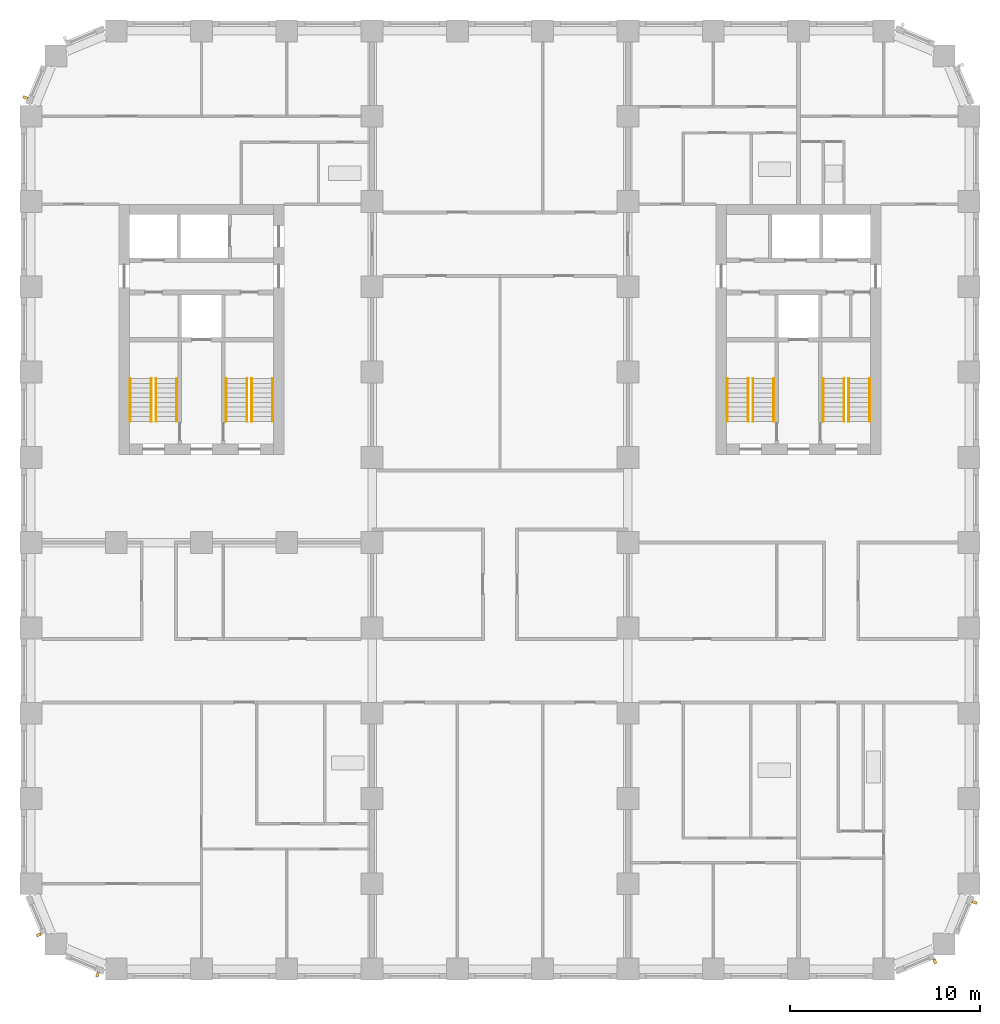
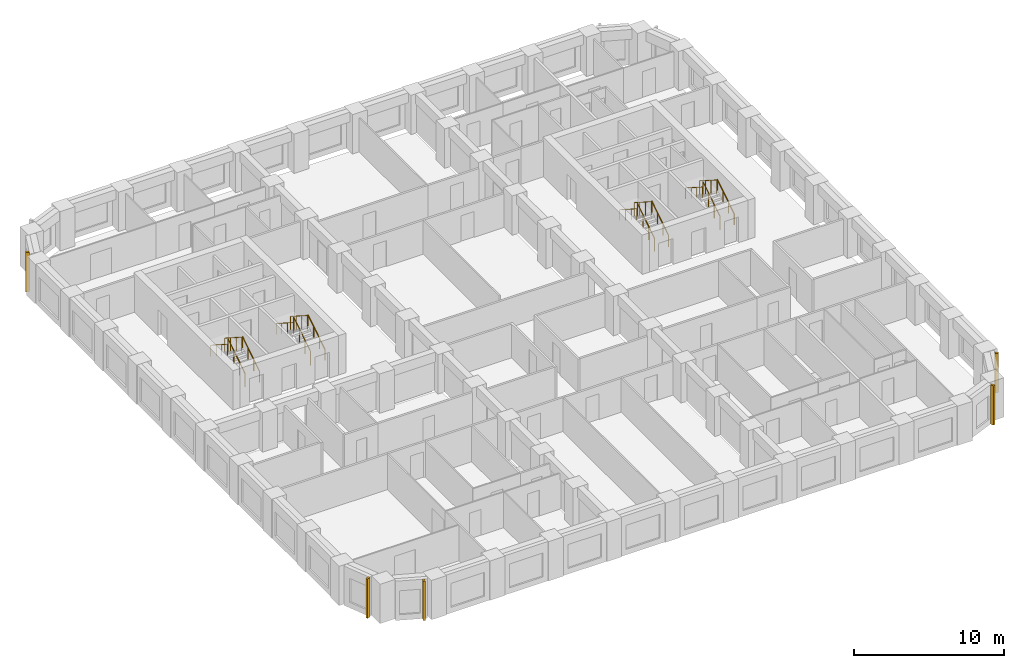
# One storey, part 10 of 12: 16 railings, 5 shading devices.
"""IFC4 building model written with IfcOpenShell, lengths in metres."""

from ifc_helpers import new_model, si_unit, direction, frame, origin, origin_2d, place, context, subcontext, project, spatial, rectangle, circle, extrude, material, type_object, element, save


model = new_model("IFC4")

# Units and contexts
model_context = context("Model", 3, precision=1e-05, world=origin(), true_north=direction((0.0, 1.0)))
body_context = subcontext(model_context, "Body", "Model", "MODEL_VIEW")
ifc_project = project(units=[si_unit("LENGTHUNIT", "METRE"), si_unit("AREAUNIT", "SQUARE_METRE"), si_unit("VOLUMEUNIT", "CUBIC_METRE"), si_unit("PLANEANGLEUNIT", "RADIAN"), si_unit("MASSUNIT", "GRAM", prefix="KILO")], contexts=[model_context])

# Site, building, storey
site_placement = place(None, origin())
site = spatial("IfcSite", under=ifc_project, at=site_placement, CompositionType="ELEMENT")
building_placement = place(site_placement, origin())
building = spatial("IfcBuilding", under=site, at=building_placement, Name="Girih Gate Residences", CompositionType="ELEMENT")
storey_placement = place(building_placement, frame((0.0, 0.0, 118.39990234375)))
storey = spatial("IfcBuildingStorey", under=building, at=storey_placement, Name="L33", CompositionType="ELEMENT", Elevation=118.39990234375)

# Shading devices
ifc_material_1 = material(Name="Precast concrete C50/60", Category="concrete")
shading_device_type = type_object("IfcShadingDeviceType", Name="Corner rib 150x250", PredefinedType="USERDEFINED", material=ifc_material_1)
for number, where, z_axis, x_axis, name in (
    (1, (0.412353515625, 1.8056640625, 0.0), (0.0, 0.0, 1.0), (0.382683432365, -0.923879532511, 0.0), "Corner rib SW0000_0045.0"),
    (2, (3.514892578125, -0.29541015625, 0.0), (0.0, 0.0, 1.0), (0.923879532511, -0.382683432365, 0.0), "Corner rib SW0013_0013.0"),
    (3, (47.6943359375, 0.412353515625, 0.0), (0.0, 0.0, 1.0), (0.923879532511, 0.382683432365, 0.0), "Corner rib SE0450_0000.0"),
    (4, (49.79541015625, 3.514892578125, 0.0), (0.0, 0.0, 1.0), (0.382683432365, 0.923879532511, 0.0), "Corner rib SE0482_0013.0"),
    (5, (-0.29541015625, 45.985107421875, 0.0), (0.0, 0.0, 1.0), (-0.382683432365, -0.923879532511, 0.0), "Corner rib NW0013_0482.0"),
):
    element("IfcShadingDevice", number, at=place(storey_placement, frame(where, z_axis=z_axis, x_axis=x_axis)), inside=storey, type_object=shading_device_type, Name=name, ObjectType="FIN", PredefinedType="USERDEFINED", context=body_context, shape_type="SweptSolid", body=[
        extrude(rectangle(XDim=0.14990234375, YDim=0.25, at=origin_2d()), origin(), (0.0, 0.0, 1.0), 3.199951171875),
    ])

# Railings
ifc_material_2 = material(Name="Stainless steel", Category="steel")
railing_type_1 = type_object("IfcRailingType", Name="Stair guard 1100", PredefinedType="GUARDRAIL", material=ifc_material_2)
railing_1_placement = place(storey_placement, frame((6.60009765625, 28.89990234375, 0.16015625)))
element("IfcRailing", 6, at=railing_1_placement, inside=storey, type_object=railing_type_1, Name="L33 ST-W1 stair guard 1", PredefinedType="GUARDRAIL", context=body_context, shape_type="SweptSolid", body=[
    extrude(circle(Radius=0.02392578125, at=origin_2d()), frame((0.0, 0.0, 1.076171875), z_axis=(0.0, 0.842281359387, 0.539038135598), x_axis=(-1.0, 0.0, 0.0)), (0.0, 0.0, 1.0), 2.67138671875),
    extrude(circle(Radius=0.02099609375, at=origin_2d()), origin(), (0.0, 0.0, 1.0), 1.052001953125),
    extrude(circle(Radius=0.02099609375, at=origin_2d()), frame((0.0, 0.75, 0.47998046875)), (0.0, 0.0, 1.0), 1.052001953125),
    extrude(circle(Radius=0.02099609375, at=origin_2d()), frame((0.0, 1.5, 0.9599609375)), (0.0, 0.0, 1.0), 1.052001953125),
    extrude(circle(Radius=0.02099609375, at=origin_2d()), frame((0.0, 2.25, 1.43994140625)), (0.0, 0.0, 1.0), 1.052001953125),
])
railing_2_placement = place(storey_placement, frame((6.35009765625, 31.14990234375, 1.760009765625)))
element("IfcRailing", 7, at=railing_2_placement, inside=storey, type_object=railing_type_1, Name="L33 ST-W1 stair guard 2", PredefinedType="GUARDRAIL", context=body_context, shape_type="SweptSolid", body=[
    extrude(circle(Radius=0.02392578125, at=origin_2d()), frame((0.0, 0.0, 1.076171875), z_axis=(0.0, -0.842239864353, 0.539102968731), x_axis=(1.0, 0.0, 0.0)), (0.0, 0.0, 1.0), 2.67138671875),
    extrude(circle(Radius=0.02099609375, at=origin_2d()), origin(), (0.0, 0.0, 1.0), 1.052001953125),
    extrude(circle(Radius=0.02099609375, at=origin_2d()), frame((0.0, -0.75, 0.47998046875)), (0.0, 0.0, 1.0), 1.052001953125),
    extrude(circle(Radius=0.02099609375, at=origin_2d()), frame((0.0, -1.5, 0.960205078125)), (0.0, 0.0, 1.0), 1.052001953125),
    extrude(circle(Radius=0.02099609375, at=origin_2d()), frame((0.0, -2.25, 1.440185546875)), (0.0, 0.0, 1.0), 1.052001953125),
])
railing_3_placement = place(storey_placement, frame((11.64990234375, 28.89990234375, 0.16015625)))
element("IfcRailing", 8, at=railing_3_placement, inside=storey, type_object=railing_type_1, Name="L33 ST-W2 stair guard 1", PredefinedType="GUARDRAIL", context=body_context, shape_type="SweptSolid", body=[
    extrude(circle(Radius=0.02392578125, at=origin_2d()), frame((0.0, 0.0, 1.076171875), z_axis=(0.0, 0.842281359387, 0.539038135598), x_axis=(-1.0, 0.0, 0.0)), (0.0, 0.0, 1.0), 2.67138671875),
    extrude(circle(Radius=0.02099609375, at=origin_2d()), origin(), (0.0, 0.0, 1.0), 1.052001953125),
    extrude(circle(Radius=0.02099609375, at=origin_2d()), frame((0.0, 0.75, 0.47998046875)), (0.0, 0.0, 1.0), 1.052001953125),
    extrude(circle(Radius=0.02099609375, at=origin_2d()), frame((0.0, 1.5, 0.9599609375)), (0.0, 0.0, 1.0), 1.052001953125),
    extrude(circle(Radius=0.02099609375, at=origin_2d()), frame((0.0, 2.25, 1.43994140625)), (0.0, 0.0, 1.0), 1.052001953125),
])
railing_4_placement = place(storey_placement, frame((11.39990234375, 31.14990234375, 1.760009765625)))
element("IfcRailing", 9, at=railing_4_placement, inside=storey, type_object=railing_type_1, Name="L33 ST-W2 stair guard 2", PredefinedType="GUARDRAIL", context=body_context, shape_type="SweptSolid", body=[
    extrude(circle(Radius=0.02392578125, at=origin_2d()), frame((0.0, 0.0, 1.076171875), z_axis=(0.0, -0.842239864353, 0.539102968731), x_axis=(1.0, 0.0, 0.0)), (0.0, 0.0, 1.0), 2.67138671875),
    extrude(circle(Radius=0.02099609375, at=origin_2d()), origin(), (0.0, 0.0, 1.0), 1.052001953125),
    extrude(circle(Radius=0.02099609375, at=origin_2d()), frame((0.0, -0.75, 0.47998046875)), (0.0, 0.0, 1.0), 1.052001953125),
    extrude(circle(Radius=0.02099609375, at=origin_2d()), frame((0.0, -1.5, 0.960205078125)), (0.0, 0.0, 1.0), 1.052001953125),
    extrude(circle(Radius=0.02099609375, at=origin_2d()), frame((0.0, -2.25, 1.440185546875)), (0.0, 0.0, 1.0), 1.052001953125),
])
railing_5_placement = place(storey_placement, frame((43.14990234375, 28.89990234375, 0.16015625)))
element("IfcRailing", 10, at=railing_5_placement, inside=storey, type_object=railing_type_1, Name="L33 ST-E1 stair guard 1", PredefinedType="GUARDRAIL", context=body_context, shape_type="SweptSolid", body=[
    extrude(circle(Radius=0.02392578125, at=origin_2d()), frame((0.0, 0.0, 1.076171875), z_axis=(0.0, 0.842281359387, 0.539038135598), x_axis=(-1.0, 0.0, 0.0)), (0.0, 0.0, 1.0), 2.67138671875),
    extrude(circle(Radius=0.02099609375, at=origin_2d()), origin(), (0.0, 0.0, 1.0), 1.052001953125),
    extrude(circle(Radius=0.02099609375, at=origin_2d()), frame((0.0, 0.75, 0.47998046875)), (0.0, 0.0, 1.0), 1.052001953125),
    extrude(circle(Radius=0.02099609375, at=origin_2d()), frame((0.0, 1.5, 0.9599609375)), (0.0, 0.0, 1.0), 1.052001953125),
    extrude(circle(Radius=0.02099609375, at=origin_2d()), frame((0.0, 2.25, 1.43994140625)), (0.0, 0.0, 1.0), 1.052001953125),
])
railing_6_placement = place(storey_placement, frame((42.89990234375, 31.14990234375, 1.760009765625)))
element("IfcRailing", 11, at=railing_6_placement, inside=storey, type_object=railing_type_1, Name="L33 ST-E1 stair guard 2", PredefinedType="GUARDRAIL", context=body_context, shape_type="SweptSolid", body=[
    extrude(circle(Radius=0.02392578125, at=origin_2d()), frame((0.0, 0.0, 1.076171875), z_axis=(0.0, -0.842239864353, 0.539102968731), x_axis=(1.0, 0.0, 0.0)), (0.0, 0.0, 1.0), 2.67138671875),
    extrude(circle(Radius=0.02099609375, at=origin_2d()), origin(), (0.0, 0.0, 1.0), 1.052001953125),
    extrude(circle(Radius=0.02099609375, at=origin_2d()), frame((0.0, -0.75, 0.47998046875)), (0.0, 0.0, 1.0), 1.052001953125),
    extrude(circle(Radius=0.02099609375, at=origin_2d()), frame((0.0, -1.5, 0.960205078125)), (0.0, 0.0, 1.0), 1.052001953125),
    extrude(circle(Radius=0.02099609375, at=origin_2d()), frame((0.0, -2.25, 1.440185546875)), (0.0, 0.0, 1.0), 1.052001953125),
])
railing_7_placement = place(storey_placement, frame((38.10009765625, 28.89990234375, 0.16015625)))
element("IfcRailing", 12, at=railing_7_placement, inside=storey, type_object=railing_type_1, Name="L33 ST-E2 stair guard 1", PredefinedType="GUARDRAIL", context=body_context, shape_type="SweptSolid", body=[
    extrude(circle(Radius=0.02392578125, at=origin_2d()), frame((0.0, 0.0, 1.076171875), z_axis=(0.0, 0.842281359387, 0.539038135598), x_axis=(-1.0, 0.0, 0.0)), (0.0, 0.0, 1.0), 2.67138671875),
    extrude(circle(Radius=0.02099609375, at=origin_2d()), origin(), (0.0, 0.0, 1.0), 1.052001953125),
    extrude(circle(Radius=0.02099609375, at=origin_2d()), frame((0.0, 0.75, 0.47998046875)), (0.0, 0.0, 1.0), 1.052001953125),
    extrude(circle(Radius=0.02099609375, at=origin_2d()), frame((0.0, 1.5, 0.9599609375)), (0.0, 0.0, 1.0), 1.052001953125),
    extrude(circle(Radius=0.02099609375, at=origin_2d()), frame((0.0, 2.25, 1.43994140625)), (0.0, 0.0, 1.0), 1.052001953125),
])
railing_8_placement = place(storey_placement, frame((37.85009765625, 31.14990234375, 1.760009765625)))
element("IfcRailing", 13, at=railing_8_placement, inside=storey, type_object=railing_type_1, Name="L33 ST-E2 stair guard 2", PredefinedType="GUARDRAIL", context=body_context, shape_type="SweptSolid", body=[
    extrude(circle(Radius=0.02392578125, at=origin_2d()), frame((0.0, 0.0, 1.076171875), z_axis=(0.0, -0.842239864353, 0.539102968731), x_axis=(1.0, 0.0, 0.0)), (0.0, 0.0, 1.0), 2.67138671875),
    extrude(circle(Radius=0.02099609375, at=origin_2d()), origin(), (0.0, 0.0, 1.0), 1.052001953125),
    extrude(circle(Radius=0.02099609375, at=origin_2d()), frame((0.0, -0.75, 0.47998046875)), (0.0, 0.0, 1.0), 1.052001953125),
    extrude(circle(Radius=0.02099609375, at=origin_2d()), frame((0.0, -1.5, 0.960205078125)), (0.0, 0.0, 1.0), 1.052001953125),
    extrude(circle(Radius=0.02099609375, at=origin_2d()), frame((0.0, -2.25, 1.440185546875)), (0.0, 0.0, 1.0), 1.052001953125),
])
railing_type_2 = type_object("IfcRailingType", Name="Stair handrail 900", PredefinedType="HANDRAIL", material=ifc_material_2)
railing_9_placement = place(storey_placement, frame((7.699951171875, 28.89990234375, 0.16015625)))
element("IfcRailing", 14, at=railing_9_placement, inside=storey, type_object=railing_type_2, Name="L33 ST-W1 stair handrail 1", PredefinedType="HANDRAIL", context=body_context, shape_type="SweptSolid", body=[
    extrude(circle(Radius=0.02392578125, at=origin_2d()), frame((0.0, 0.0, 0.8857421875), z_axis=(0.0, 0.842281359387, 0.539038135598), x_axis=(-1.0, 0.0, 0.0)), (0.0, 0.0, 1.0), 2.67138671875),
    extrude(circle(Radius=0.02099609375, at=origin_2d()), origin(), (0.0, 0.0, 1.0), 0.86181640625),
    extrude(circle(Radius=0.02099609375, at=origin_2d()), frame((0.0, 0.75, 0.47998046875)), (0.0, 0.0, 1.0), 0.86181640625),
    extrude(circle(Radius=0.02099609375, at=origin_2d()), frame((0.0, 1.5, 0.9599609375)), (0.0, 0.0, 1.0), 0.86181640625),
    extrude(circle(Radius=0.02099609375, at=origin_2d()), frame((0.0, 2.25, 1.43994140625)), (0.0, 0.0, 1.0), 0.86181640625),
])
railing_10_placement = place(storey_placement, frame((5.25, 31.14990234375, 1.760009765625)))
element("IfcRailing", 15, at=railing_10_placement, inside=storey, type_object=railing_type_2, Name="L33 ST-W1 stair handrail 2", PredefinedType="HANDRAIL", context=body_context, shape_type="SweptSolid", body=[
    extrude(circle(Radius=0.02392578125, at=origin_2d()), frame((0.0, 0.0, 0.8857421875), z_axis=(0.0, -0.842239864353, 0.539102968731), x_axis=(1.0, 0.0, 0.0)), (0.0, 0.0, 1.0), 2.67138671875),
    extrude(circle(Radius=0.02099609375, at=origin_2d()), origin(), (0.0, 0.0, 1.0), 0.86181640625),
    extrude(circle(Radius=0.02099609375, at=origin_2d()), frame((0.0, -0.75, 0.47998046875)), (0.0, 0.0, 1.0), 0.86181640625),
    extrude(circle(Radius=0.02099609375, at=origin_2d()), frame((0.0, -1.5, 0.960205078125)), (0.0, 0.0, 1.0), 0.86181640625),
    extrude(circle(Radius=0.02099609375, at=origin_2d()), frame((0.0, -2.25, 1.440185546875)), (0.0, 0.0, 1.0), 0.86181640625),
])
railing_11_placement = place(storey_placement, frame((12.75, 28.89990234375, 0.16015625)))
element("IfcRailing", 16, at=railing_11_placement, inside=storey, type_object=railing_type_2, Name="L33 ST-W2 stair handrail 1", PredefinedType="HANDRAIL", context=body_context, shape_type="SweptSolid", body=[
    extrude(circle(Radius=0.02392578125, at=origin_2d()), frame((0.0, 0.0, 0.8857421875), z_axis=(0.0, 0.842281359387, 0.539038135598), x_axis=(-1.0, 0.0, 0.0)), (0.0, 0.0, 1.0), 2.67138671875),
    extrude(circle(Radius=0.02099609375, at=origin_2d()), origin(), (0.0, 0.0, 1.0), 0.86181640625),
    extrude(circle(Radius=0.02099609375, at=origin_2d()), frame((0.0, 0.75, 0.47998046875)), (0.0, 0.0, 1.0), 0.86181640625),
    extrude(circle(Radius=0.02099609375, at=origin_2d()), frame((0.0, 1.5, 0.9599609375)), (0.0, 0.0, 1.0), 0.86181640625),
    extrude(circle(Radius=0.02099609375, at=origin_2d()), frame((0.0, 2.25, 1.43994140625)), (0.0, 0.0, 1.0), 0.86181640625),
])
railing_12_placement = place(storey_placement, frame((10.300048828125, 31.14990234375, 1.760009765625)))
element("IfcRailing", 17, at=railing_12_placement, inside=storey, type_object=railing_type_2, Name="L33 ST-W2 stair handrail 2", PredefinedType="HANDRAIL", context=body_context, shape_type="SweptSolid", body=[
    extrude(circle(Radius=0.02392578125, at=origin_2d()), frame((0.0, 0.0, 0.8857421875), z_axis=(0.0, -0.842239864353, 0.539102968731), x_axis=(1.0, 0.0, 0.0)), (0.0, 0.0, 1.0), 2.67138671875),
    extrude(circle(Radius=0.02099609375, at=origin_2d()), origin(), (0.0, 0.0, 1.0), 0.86181640625),
    extrude(circle(Radius=0.02099609375, at=origin_2d()), frame((0.0, -0.75, 0.47998046875)), (0.0, 0.0, 1.0), 0.86181640625),
    extrude(circle(Radius=0.02099609375, at=origin_2d()), frame((0.0, -1.5, 0.960205078125)), (0.0, 0.0, 1.0), 0.86181640625),
    extrude(circle(Radius=0.02099609375, at=origin_2d()), frame((0.0, -2.25, 1.440185546875)), (0.0, 0.0, 1.0), 0.86181640625),
])
railing_13_placement = place(storey_placement, frame((44.25, 28.89990234375, 0.16015625)))
element("IfcRailing", 18, at=railing_13_placement, inside=storey, type_object=railing_type_2, Name="L33 ST-E1 stair handrail 1", PredefinedType="HANDRAIL", context=body_context, shape_type="SweptSolid", body=[
    extrude(circle(Radius=0.02392578125, at=origin_2d()), frame((0.0, 0.0, 0.8857421875), z_axis=(0.0, 0.842281359387, 0.539038135598), x_axis=(-1.0, 0.0, 0.0)), (0.0, 0.0, 1.0), 2.67138671875),
    extrude(circle(Radius=0.02099609375, at=origin_2d()), origin(), (0.0, 0.0, 1.0), 0.86181640625),
    extrude(circle(Radius=0.02099609375, at=origin_2d()), frame((0.0, 0.75, 0.47998046875)), (0.0, 0.0, 1.0), 0.86181640625),
    extrude(circle(Radius=0.02099609375, at=origin_2d()), frame((0.0, 1.5, 0.9599609375)), (0.0, 0.0, 1.0), 0.86181640625),
    extrude(circle(Radius=0.02099609375, at=origin_2d()), frame((0.0, 2.25, 1.43994140625)), (0.0, 0.0, 1.0), 0.86181640625),
])
railing_14_placement = place(storey_placement, frame((41.800048828125, 31.14990234375, 1.760009765625)))
element("IfcRailing", 19, at=railing_14_placement, inside=storey, type_object=railing_type_2, Name="L33 ST-E1 stair handrail 2", PredefinedType="HANDRAIL", context=body_context, shape_type="SweptSolid", body=[
    extrude(circle(Radius=0.02392578125, at=origin_2d()), frame((0.0, 0.0, 0.8857421875), z_axis=(0.0, -0.842239864353, 0.539102968731), x_axis=(1.0, 0.0, 0.0)), (0.0, 0.0, 1.0), 2.67138671875),
    extrude(circle(Radius=0.02099609375, at=origin_2d()), origin(), (0.0, 0.0, 1.0), 0.86181640625),
    extrude(circle(Radius=0.02099609375, at=origin_2d()), frame((0.0, -0.75, 0.47998046875)), (0.0, 0.0, 1.0), 0.86181640625),
    extrude(circle(Radius=0.02099609375, at=origin_2d()), frame((0.0, -1.5, 0.960205078125)), (0.0, 0.0, 1.0), 0.86181640625),
    extrude(circle(Radius=0.02099609375, at=origin_2d()), frame((0.0, -2.25, 1.440185546875)), (0.0, 0.0, 1.0), 0.86181640625),
])
railing_15_placement = place(storey_placement, frame((39.199951171875, 28.89990234375, 0.16015625)))
element("IfcRailing", 20, at=railing_15_placement, inside=storey, type_object=railing_type_2, Name="L33 ST-E2 stair handrail 1", PredefinedType="HANDRAIL", context=body_context, shape_type="SweptSolid", body=[
    extrude(circle(Radius=0.02392578125, at=origin_2d()), frame((0.0, 0.0, 0.8857421875), z_axis=(0.0, 0.842281359387, 0.539038135598), x_axis=(-1.0, 0.0, 0.0)), (0.0, 0.0, 1.0), 2.67138671875),
    extrude(circle(Radius=0.02099609375, at=origin_2d()), origin(), (0.0, 0.0, 1.0), 0.86181640625),
    extrude(circle(Radius=0.02099609375, at=origin_2d()), frame((0.0, 0.75, 0.47998046875)), (0.0, 0.0, 1.0), 0.86181640625),
    extrude(circle(Radius=0.02099609375, at=origin_2d()), frame((0.0, 1.5, 0.9599609375)), (0.0, 0.0, 1.0), 0.86181640625),
    extrude(circle(Radius=0.02099609375, at=origin_2d()), frame((0.0, 2.25, 1.43994140625)), (0.0, 0.0, 1.0), 0.86181640625),
])
railing_16_placement = place(storey_placement, frame((36.75, 31.14990234375, 1.760009765625)))
element("IfcRailing", 21, at=railing_16_placement, inside=storey, type_object=railing_type_2, Name="L33 ST-E2 stair handrail 2", PredefinedType="HANDRAIL", context=body_context, shape_type="SweptSolid", body=[
    extrude(circle(Radius=0.02392578125, at=origin_2d()), frame((0.0, 0.0, 0.8857421875), z_axis=(0.0, -0.842239864353, 0.539102968731), x_axis=(1.0, 0.0, 0.0)), (0.0, 0.0, 1.0), 2.67138671875),
    extrude(circle(Radius=0.02099609375, at=origin_2d()), origin(), (0.0, 0.0, 1.0), 0.86181640625),
    extrude(circle(Radius=0.02099609375, at=origin_2d()), frame((0.0, -0.75, 0.47998046875)), (0.0, 0.0, 1.0), 0.86181640625),
    extrude(circle(Radius=0.02099609375, at=origin_2d()), frame((0.0, -1.5, 0.960205078125)), (0.0, 0.0, 1.0), 0.86181640625),
    extrude(circle(Radius=0.02099609375, at=origin_2d()), frame((0.0, -2.25, 1.440185546875)), (0.0, 0.0, 1.0), 0.86181640625),
])

save(model, "model.ifc")
